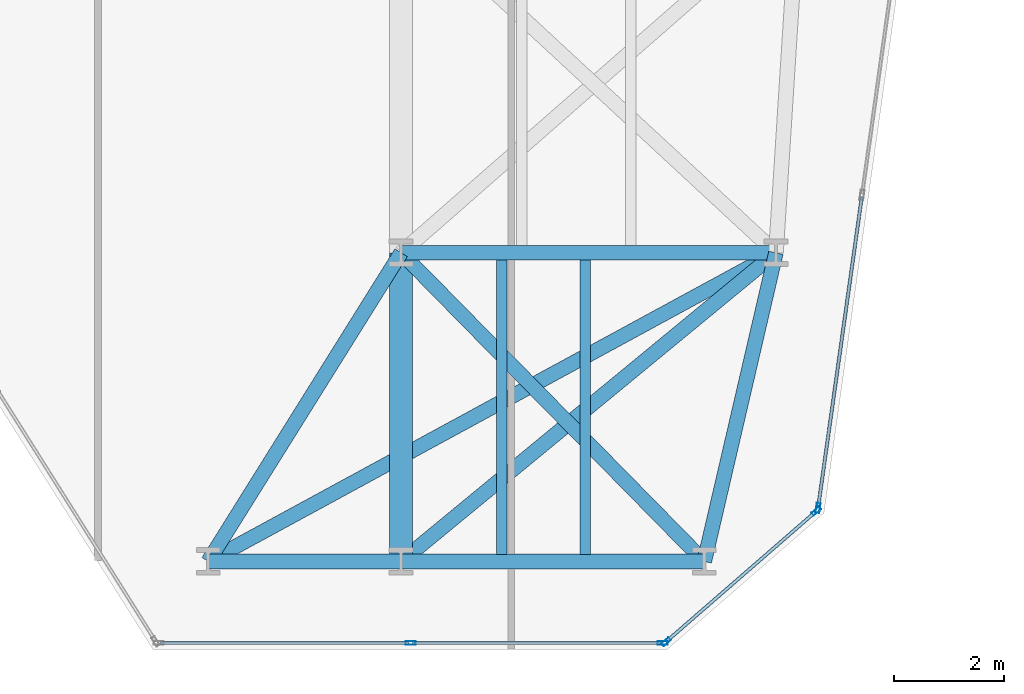
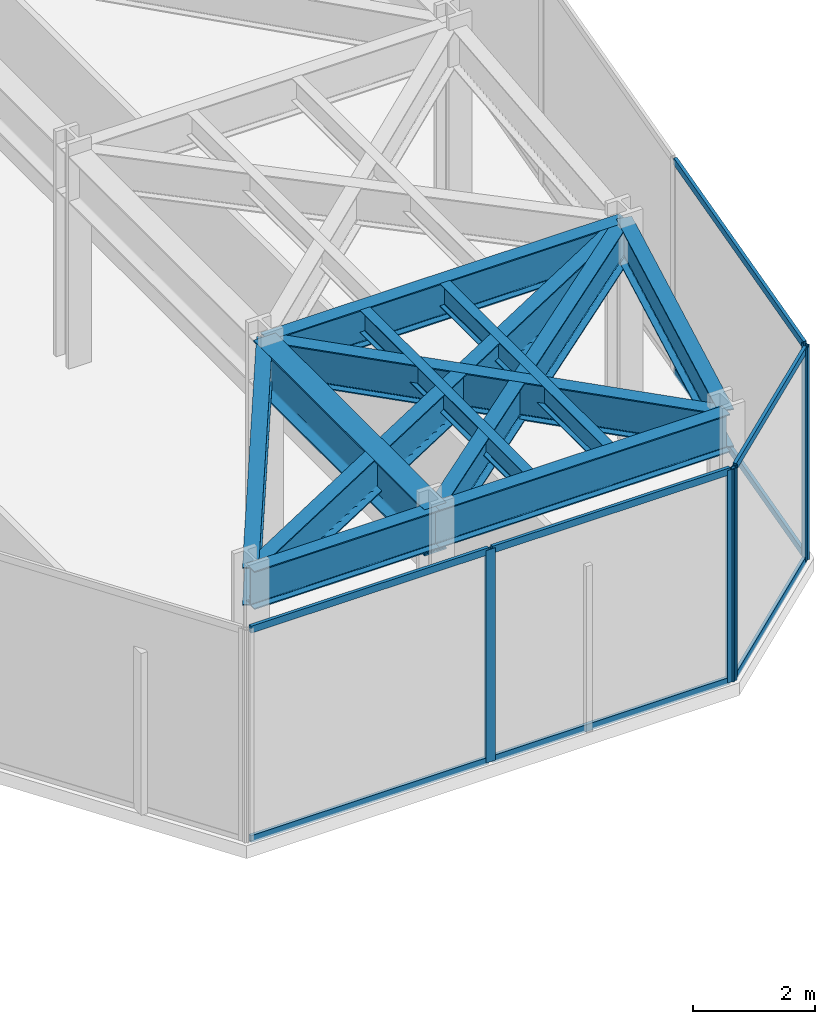
# One storey, part 13 of 28: 13 members, 11 beams, 3 elements without a shape of their own.
"""IFC4 building model written with IfcOpenShell, lengths in metres."""

from ifc_helpers import new_model, si_unit, direction, frame, origin, origin_2d, place, context, subcontext, project, spatial, hollow_rectangle, i_section, extrude, material, layer, layer_set, material_profile, profile_set, type_object, element, aggregate, save


model = new_model("IFC4")

# Units and contexts
model_context = context("Model", 3, precision=1e-05, world=origin(), true_north=direction((0.0, 1.0)))
body_context = subcontext(model_context, "Body", "Model", "MODEL_VIEW")
ifc_project = project(units=[si_unit("LENGTHUNIT", "METRE"), si_unit("AREAUNIT", "SQUARE_METRE"), si_unit("VOLUMEUNIT", "CUBIC_METRE"), si_unit("PLANEANGLEUNIT", "RADIAN"), si_unit("MASSUNIT", "GRAM", prefix="KILO")], contexts=[model_context])

# Site, building, storey
site_placement = place(None, origin())
site = spatial("IfcSite", under=ifc_project, at=site_placement, CompositionType="ELEMENT")
building_placement = place(site_placement, origin())
building = spatial("IfcBuilding", under=site, at=building_placement, Name="Kravanh Interchange Tower", CompositionType="ELEMENT")
storey_placement = place(building_placement, frame((0.0, 0.0, 91.5)))
storey = spatial("IfcBuildingStorey", under=building, at=storey_placement, Name="L21", CompositionType="ELEMENT", Elevation=91.5)

# Curtain wall, member
ifc_material_1 = material(Name="Anodised Bronze Aluminium", Category="aluminium")
ifc_layer = layer(ifc_material_1, 0.179931640625)
ifc_layer_set = layer_set([ifc_layer], Name="Unitised Curtain Wall System CW-SKY Sky Observatory")
curtain_wall_type = type_object("IfcCurtainWallType", Name="Unitised Curtain Wall System CW-SKY Sky Observatory", PredefinedType="NOTDEFINED", material=ifc_layer_set)
curtain_wall_1_placement = place(storey_placement, origin())
curtain_wall_1 = element("IfcCurtainWall", 1, at=curtain_wall_1_placement, inside=storey, type_object=curtain_wall_type, Name="L21 Unitised Curtain Wall CW-L21-02", PredefinedType="NOTDEFINED")
ifc_material_2 = material(Name="Anodised Bronze Aluminium", Category="aluminium")
ifc_material_profile_1 = material_profile(ifc_material_2, hollow_rectangle(XDim=0.070068359375, YDim=0.179931640625, WallThickness=0.00390625, at=origin_2d()), Name="ALU70X180X4")
ifc_profile_set_1 = profile_set([ifc_material_profile_1], Name="Anodised Bronze Aluminium")
member_type_1 = type_object("IfcMemberType", Name="Curtain Wall Mullion ALU70X180X4 Bronze", PredefinedType="MULLION", material=ifc_profile_set_1)
member_1_placement = place(storey_placement, frame((63.564453125, 3.571533203125, 0.0), z_axis=(0.0, 0.0, 1.0), x_axis=(0.990267585682, -0.139176538065, 0.0)))
member_1 = element("IfcMember", 2, at=member_1_placement, type_object=member_type_1, Name="CW-SKY mullion 7", PredefinedType="MULLION", context=body_context, shape_type="SweptSolid", body=[
    extrude(hollow_rectangle(XDim=0.070068359375, YDim=0.179931640625, WallThickness=0.00390625, at=origin_2d()), origin(), (0.0, 0.0, 1.0), 4.25),
])

# Curtain wall, members
curtain_wall_2_placement = place(storey_placement, origin())
curtain_wall_2 = element("IfcCurtainWall", 3, at=curtain_wall_2_placement, inside=storey, type_object=curtain_wall_type, Name="L21 Unitised Curtain Wall CW-L21-03", PredefinedType="NOTDEFINED")
member_2_placement = place(storey_placement, frame((63.533203125, 3.513916015625, 0.0), z_axis=(0.0, 0.0, 1.0), x_axis=(0.656060422341, -0.754708368999, 0.0)))
member_2 = element("IfcMember", 4, at=member_2_placement, type_object=member_type_1, Name="CW-SKY mullion 1", PredefinedType="MULLION", context=body_context, shape_type="SweptSolid", body=[
    extrude(hollow_rectangle(XDim=0.070068359375, YDim=0.179931640625, WallThickness=0.00390625, at=origin_2d()), origin(), (0.0, 0.0, 1.0), 4.25),
])
member_3_placement = place(storey_placement, frame((60.805908203125, 1.14306640625, 0.0), z_axis=(0.0, 0.0, 1.0), x_axis=(0.656060422341, -0.754708368999, 0.0)))
member_3 = element("IfcMember", 5, at=member_3_placement, type_object=member_type_1, Name="CW-SKY mullion 2", PredefinedType="MULLION", context=body_context, shape_type="SweptSolid", body=[
    extrude(hollow_rectangle(XDim=0.070068359375, YDim=0.179931640625, WallThickness=0.00390625, at=origin_2d()), origin(), (0.0, 0.0, 1.0), 4.25),
])

curtain_wall_3_placement = place(storey_placement, origin())
curtain_wall_3 = element("IfcCurtainWall", 6, at=curtain_wall_3_placement, inside=storey, type_object=curtain_wall_type, Name="L21 Unitised Curtain Wall CW-L21-04", PredefinedType="NOTDEFINED")
member_4_placement = place(storey_placement, frame((60.744384765625, 1.1201171875, 0.0), z_axis=(0.0, 0.0, 1.0), x_axis=(0.0, -1.0, 0.0)))
member_4 = element("IfcMember", 7, at=member_4_placement, type_object=member_type_1, Name="CW-SKY mullion 1", PredefinedType="MULLION", context=body_context, shape_type="SweptSolid", body=[
    extrude(hollow_rectangle(XDim=0.070068359375, YDim=0.179931640625, WallThickness=0.00390625, at=origin_2d()), origin(), (0.0, 0.0, 1.0), 4.25),
])
member_5_placement = place(storey_placement, frame((56.1728515625, 1.1201171875, 0.0), z_axis=(0.0, 0.0, 1.0), x_axis=(0.0, -1.0, 0.0)))
member_5 = element("IfcMember", 8, at=member_5_placement, type_object=member_type_1, Name="CW-SKY mullion 2", PredefinedType="MULLION", context=body_context, shape_type="SweptSolid", body=[
    extrude(hollow_rectangle(XDim=0.070068359375, YDim=0.179931640625, WallThickness=0.00390625, at=origin_2d()), origin(), (0.0, 0.0, 1.0), 4.25),
])

# Member
ifc_material_3 = material(Name="Anodised Bronze Aluminium", Category="aluminium")
ifc_material_profile_2 = material_profile(ifc_material_3, hollow_rectangle(XDim=0.06005859375, YDim=0.139892578125, WallThickness=0.00390625, at=origin_2d()), Name="ALU60X140X4")
ifc_profile_set_2 = profile_set([ifc_material_profile_2], Name="Anodised Bronze Aluminium")
member_type_2 = type_object("IfcMemberType", Name="Curtain Wall Transom ALU60X140X4 Bronze", PredefinedType="USERDEFINED", material=ifc_profile_set_2)
member_6_placement = place(storey_placement, frame((64.357421875, 9.212646484375, 0.030029296875), z_axis=(-0.139199330487, -0.990264382068, 0.0), x_axis=(0.990264382068, -0.139199330487, 0.0)))
member_6 = element("IfcMember", 9, at=member_6_placement, type_object=member_type_2, Name="CW-SKY transom 6.1", ObjectType="TRANSOM", PredefinedType="USERDEFINED", context=body_context, shape_type="SweptSolid", body=[
    extrude(hollow_rectangle(XDim=0.06005859375, YDim=0.139892578125, WallThickness=0.00390625, at=origin_2d()), origin(), (0.0, 0.0, 1.0), 5.66162109375),
])

member_7_placement = place(storey_placement, frame((64.357421875, 9.212646484375, 4.219970703125), z_axis=(-0.139199330487, -0.990264382068, 0.0), x_axis=(0.990264382068, -0.139199330487, 0.0)))
member_7 = element("IfcMember", 10, at=member_7_placement, type_object=member_type_2, Name="CW-SKY transom 6.2", ObjectType="TRANSOM", PredefinedType="USERDEFINED", context=body_context, shape_type="SweptSolid", body=[
    extrude(hollow_rectangle(XDim=0.06005859375, YDim=0.139892578125, WallThickness=0.00390625, at=origin_2d()), origin(), (0.0, 0.0, 1.0), 5.66162109375),
])

aggregate(curtain_wall_1, [member_1, member_6, member_7])

member_8_placement = place(storey_placement, frame((63.5068359375, 3.490966796875, 0.030029296875), z_axis=(-0.754710815466, -0.656057608004, 0.0), x_axis=(0.656057608004, -0.754710815466, 0.0)))
member_8 = element("IfcMember", 11, at=member_8_placement, type_object=member_type_2, Name="CW-SKY transom 1.1", ObjectType="TRANSOM", PredefinedType="USERDEFINED", context=body_context, shape_type="SweptSolid", body=[
    extrude(hollow_rectangle(XDim=0.06005859375, YDim=0.139892578125, WallThickness=0.00390625, at=origin_2d()), origin(), (0.0, 0.0, 1.0), 3.543701171875),
])

member_9_placement = place(storey_placement, frame((63.5068359375, 3.490966796875, 4.219970703125), z_axis=(-0.754710815466, -0.656057608004, 0.0), x_axis=(0.656057608004, -0.754710815466, 0.0)))
member_9 = element("IfcMember", 12, at=member_9_placement, type_object=member_type_2, Name="CW-SKY transom 1.2", ObjectType="TRANSOM", PredefinedType="USERDEFINED", context=body_context, shape_type="SweptSolid", body=[
    extrude(hollow_rectangle(XDim=0.06005859375, YDim=0.139892578125, WallThickness=0.00390625, at=origin_2d()), origin(), (0.0, 0.0, 1.0), 3.543701171875),
])

aggregate(curtain_wall_2, [member_2, member_3, member_8, member_9])

member_10_placement = place(storey_placement, frame((60.70947265625, 1.1201171875, 0.030029296875), z_axis=(-1.0, 0.0, 0.0), x_axis=(0.0, -1.0, 0.0)))
member_10 = element("IfcMember", 13, at=member_10_placement, type_object=member_type_2, Name="CW-SKY transom 1.1", ObjectType="TRANSOM", PredefinedType="USERDEFINED", context=body_context, shape_type="SweptSolid", body=[
    extrude(hollow_rectangle(XDim=0.06005859375, YDim=0.139892578125, WallThickness=0.00390625, at=origin_2d()), origin(), (0.0, 0.0, 1.0), 4.501708984375),
])

member_11_placement = place(storey_placement, frame((60.70947265625, 1.1201171875, 4.219970703125), z_axis=(-1.0, 0.0, 0.0), x_axis=(0.0, -1.0, 0.0)))
member_11 = element("IfcMember", 14, at=member_11_placement, type_object=member_type_2, Name="CW-SKY transom 1.2", ObjectType="TRANSOM", PredefinedType="USERDEFINED", context=body_context, shape_type="SweptSolid", body=[
    extrude(hollow_rectangle(XDim=0.06005859375, YDim=0.139892578125, WallThickness=0.00390625, at=origin_2d()), origin(), (0.0, 0.0, 1.0), 4.501708984375),
])

member_12_placement = place(storey_placement, frame((56.1376953125, 1.1201171875, 0.030029296875), z_axis=(-1.0, 0.0, 0.0), x_axis=(0.0, -1.0, 0.0)))
member_12 = element("IfcMember", 15, at=member_12_placement, type_object=member_type_2, Name="CW-SKY transom 2.1", ObjectType="TRANSOM", PredefinedType="USERDEFINED", context=body_context, shape_type="SweptSolid", body=[
    extrude(hollow_rectangle(XDim=0.06005859375, YDim=0.139892578125, WallThickness=0.00390625, at=origin_2d()), origin(), (0.0, 0.0, 1.0), 4.50146484375),
])

member_13_placement = place(storey_placement, frame((56.1376953125, 1.1201171875, 4.219970703125), z_axis=(-1.0, 0.0, 0.0), x_axis=(0.0, -1.0, 0.0)))
member_13 = element("IfcMember", 16, at=member_13_placement, type_object=member_type_2, Name="CW-SKY transom 2.2", ObjectType="TRANSOM", PredefinedType="USERDEFINED", context=body_context, shape_type="SweptSolid", body=[
    extrude(hollow_rectangle(XDim=0.06005859375, YDim=0.139892578125, WallThickness=0.00390625, at=origin_2d()), origin(), (0.0, 0.0, 1.0), 4.50146484375),
])

aggregate(curtain_wall_3, [member_4, member_5, member_10, member_11, member_12, member_13])

# Beams
ifc_material_4 = material(Name="Structural Steel S355", Category="steel")
ifc_material_profile_3 = material_profile(ifc_material_4, i_section(OverallWidth=0.41796875, OverallDepth=0.927001953125, WebThickness=0.019287109375, FlangeThickness=0.031982421875, FilletRadius=0.028076171875, at=origin_2d()), Name="W36X231")
ifc_profile_set_3 = profile_set([ifc_material_profile_3], Name="Structural Steel S355")
beam_type_1 = type_object("IfcBeamType", Name="Floor Beam W36X231 Structural Steel S355", PredefinedType="BEAM", material=ifc_profile_set_3)
beam_1_placement = place(storey_placement, frame((56.0, 2.60009765625, 3.78662109375), z_axis=(0.0, 1.0, 0.0), x_axis=(-1.0, 0.0, 0.0)))
element("IfcBeam", 17, at=beam_1_placement, inside=storey, type_object=beam_type_1, Name="L21 Primary Floor Girder 129", PredefinedType="BEAM", context=body_context, shape_type="SweptSolid", body=[
    extrude(i_section(OverallWidth=0.41796875, OverallDepth=0.927001953125, WebThickness=0.019287109375, FlangeThickness=0.031982421875, FilletRadius=0.028076171875, at=origin_2d()), origin(), (0.0, 0.0, 1.0), 5.599853515625),
])
ifc_material_5 = material(Name="Structural Steel S355", Category="steel")
ifc_material_profile_4 = material_profile(ifc_material_5, i_section(OverallWidth=0.18994140625, OverallDepth=0.45703125, WebThickness=0.009033203125, FlangeThickness=0.014404296875, FilletRadius=0.01806640625, at=origin_2d()), Name="W18X50")
ifc_profile_set_4 = profile_set([ifc_material_profile_4], Name="Structural Steel S355")
beam_type_2 = type_object("IfcBeamType", Name="Floor Joist W18X50 Structural Steel S355", PredefinedType="JOIST", material=ifc_profile_set_4)
for number, where, z_axis, x_axis, name in (
    (18, (57.825927734375, 2.728515625, 4.021484375), (0.0, 1.0, 0.0), (-1.0, 0.0, 0.0), "L21 Secondary Floor Joist 5"),
    (19, (59.337890625, 2.728515625, 4.021484375), (0.0, 1.0, 0.0), (-1.0, 0.0, 0.0), "L21 Secondary Floor Joist 6"),
):
    element("IfcBeam", number, at=place(storey_placement, frame(where, z_axis=z_axis, x_axis=x_axis)), inside=storey, type_object=beam_type_2, Name=name, PredefinedType="JOIST", context=body_context, shape_type="SweptSolid", body=[
        extrude(i_section(OverallWidth=0.18994140625, OverallDepth=0.45703125, WebThickness=0.009033203125, FlangeThickness=0.014404296875, FilletRadius=0.01806640625, at=origin_2d()), origin(), (0.0, 0.0, 1.0), 5.343017578125),
    ])
ifc_material_6 = material(Name="Structural Steel S355", Category="steel")
ifc_material_profile_5 = material_profile(ifc_material_6, i_section(OverallWidth=0.26708984375, OverallDepth=0.761962890625, WebThickness=0.014404296875, FlangeThickness=0.021484375, FilletRadius=0.02490234375, at=origin_2d()), Name="W30X116")
ifc_profile_set_5 = profile_set([ifc_material_profile_5], Name="Structural Steel S355")
beam_type_3 = type_object("IfcBeamType", Name="Floor Spandrel W30X116 Structural Steel S355", PredefinedType="SPANDREL", material=ifc_profile_set_5)
beam_2_placement = place(storey_placement, frame((52.5, 2.60009765625, 3.868896484375), z_axis=(1.0, 0.0, 0.0), x_axis=(0.0, 1.0, 0.0)))
element("IfcBeam", 20, at=beam_2_placement, inside=storey, type_object=beam_type_3, Name="L21 Perimeter Spandrel 125", PredefinedType="SPANDREL", context=body_context, shape_type="SweptSolid", body=[
    extrude(i_section(OverallWidth=0.26708984375, OverallDepth=0.761962890625, WebThickness=0.014404296875, FlangeThickness=0.021484375, FilletRadius=0.02490234375, at=origin_2d()), origin(), (0.0, 0.0, 1.0), 3.5),
])
beam_3_placement = place(storey_placement, frame((52.5, 2.60009765625, 3.868896484375), z_axis=(0.530008909536, 0.847992072965, 0.0), x_axis=(-0.847992072965, 0.530008909536, 0.0)))
element("IfcBeam", 21, at=beam_3_placement, inside=storey, type_object=beam_type_3, Name="L21 Perimeter Spandrel 126", PredefinedType="SPANDREL", context=body_context, shape_type="SweptSolid", body=[
    extrude(i_section(OverallWidth=0.26708984375, OverallDepth=0.761962890625, WebThickness=0.014404296875, FlangeThickness=0.021484375, FilletRadius=0.02490234375, at=origin_2d()), origin(), (0.0, 0.0, 1.0), 6.603759765625),
])
beam_4_placement = place(storey_placement, frame((52.5, 2.60009765625, 3.868896484375), z_axis=(0.878552895081, 0.47764506754, 0.0), x_axis=(-0.47764506754, 0.878552895081, 0.0)))
element("IfcBeam", 22, at=beam_4_placement, inside=storey, type_object=beam_type_3, Name="L21 Perimeter Spandrel 127", PredefinedType="SPANDREL", context=body_context, shape_type="SweptSolid", body=[
    extrude(i_section(OverallWidth=0.26708984375, OverallDepth=0.761962890625, WebThickness=0.014404296875, FlangeThickness=0.021484375, FilletRadius=0.02490234375, at=origin_2d()), origin(), (0.0, 0.0, 1.0), 11.723876953125),
])
beam_5_placement = place(storey_placement, frame((56.0, 2.60009765625, 3.868896484375), z_axis=(1.0, 0.0, 0.0), x_axis=(0.0, 1.0, 0.0)))
element("IfcBeam", 23, at=beam_5_placement, inside=storey, type_object=beam_type_3, Name="L21 Perimeter Spandrel 128", PredefinedType="SPANDREL", context=body_context, shape_type="SweptSolid", body=[
    extrude(i_section(OverallWidth=0.26708984375, OverallDepth=0.761962890625, WebThickness=0.014404296875, FlangeThickness=0.021484375, FilletRadius=0.02490234375, at=origin_2d()), origin(), (0.0, 0.0, 1.0), 5.5),
])
beam_6_placement = place(storey_placement, frame((56.0, 2.60009765625, 3.868896484375), z_axis=(0.771940635711, 0.635694623965, 0.0), x_axis=(-0.635694623965, 0.771940635711, 0.0)))
element("IfcBeam", 24, at=beam_6_placement, inside=storey, type_object=beam_type_3, Name="L21 Perimeter Spandrel 130", PredefinedType="SPANDREL", context=body_context, shape_type="SweptSolid", body=[
    extrude(i_section(OverallWidth=0.26708984375, OverallDepth=0.761962890625, WebThickness=0.014404296875, FlangeThickness=0.021484375, FilletRadius=0.02490234375, at=origin_2d()), origin(), (0.0, 0.0, 1.0), 8.80908203125),
])
beam_7_placement = place(storey_placement, frame((61.5, 2.60009765625, 3.868896484375), z_axis=(0.226143379252, 0.974094026273, 0.0), x_axis=(-0.974094026273, 0.226143379252, 0.0)))
element("IfcBeam", 25, at=beam_7_placement, inside=storey, type_object=beam_type_3, Name="L21 Perimeter Spandrel 131", PredefinedType="SPANDREL", context=body_context, shape_type="SweptSolid", body=[
    extrude(i_section(OverallWidth=0.26708984375, OverallDepth=0.761962890625, WebThickness=0.014404296875, FlangeThickness=0.021484375, FilletRadius=0.02490234375, at=origin_2d()), origin(), (0.0, 0.0, 1.0), 5.748779296875),
])
beam_8_placement = place(storey_placement, frame((61.5, 2.60009765625, 3.868896484375), z_axis=(-0.700717344595, 0.71343899738, 0.0), x_axis=(-0.71343899738, -0.700717344595, 0.0)))
element("IfcBeam", 26, at=beam_8_placement, inside=storey, type_object=beam_type_3, Name="L21 Perimeter Spandrel 132", PredefinedType="SPANDREL", context=body_context, shape_type="SweptSolid", body=[
    extrude(i_section(OverallWidth=0.26708984375, OverallDepth=0.761962890625, WebThickness=0.014404296875, FlangeThickness=0.021484375, FilletRadius=0.02490234375, at=origin_2d()), origin(), (0.0, 0.0, 1.0), 7.84912109375),
])
beam_9_placement = place(storey_placement, frame((56.0, 8.199951171875, 3.868896484375), z_axis=(1.0, 0.0, 0.0), x_axis=(0.0, 1.0, 0.0)))
element("IfcBeam", 27, at=beam_9_placement, inside=storey, type_object=beam_type_3, Name="L21 Perimeter Spandrel 142", PredefinedType="SPANDREL", context=body_context, shape_type="SweptSolid", body=[
    extrude(i_section(OverallWidth=0.26708984375, OverallDepth=0.761962890625, WebThickness=0.014404296875, FlangeThickness=0.021484375, FilletRadius=0.02490234375, at=origin_2d()), origin(), (0.0, 0.0, 1.0), 6.800048828125),
])

save(model, "model.ifc")
